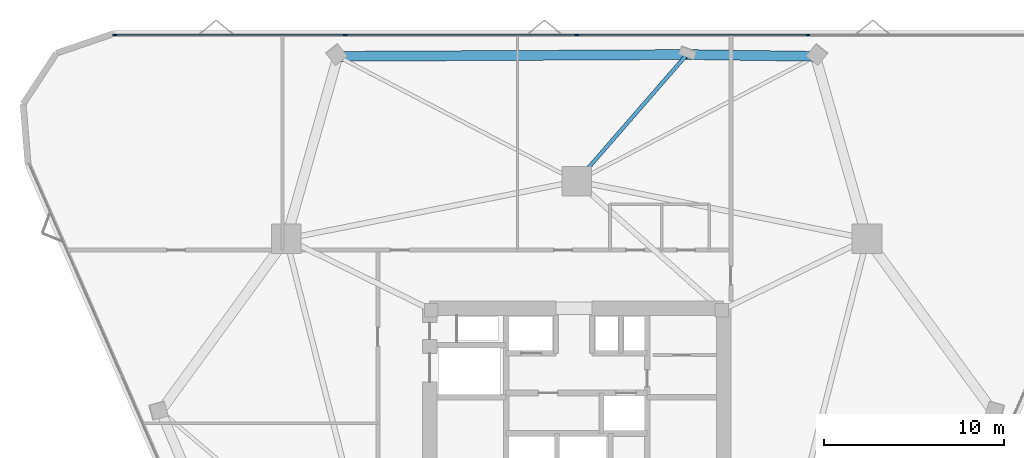
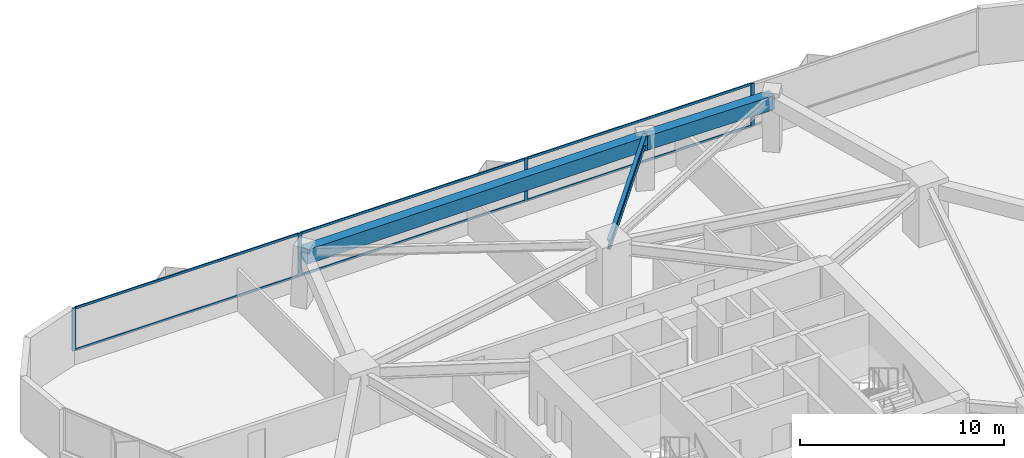
# One storey, part 7 of 13: 10 members, 3 beams, 1 element without a shape of its own.
"""IFC4 building model written with IfcOpenShell, lengths in metres."""

from ifc_helpers import new_model, si_unit, direction, frame, origin, origin_2d, place, context, subcontext, project, spatial, rectangle, i_section, extrude, material, layer, layer_set, material_profile, profile_set, type_object, element, aggregate, save


model = new_model("IFC4")

# Units and contexts
model_context = context("Model", 3, precision=1e-05, world=origin(), true_north=direction((0.0, 1.0)))
body_context = subcontext(model_context, "Body", "Model", "MODEL_VIEW")
ifc_project = project(units=[si_unit("LENGTHUNIT", "METRE"), si_unit("AREAUNIT", "SQUARE_METRE"), si_unit("VOLUMEUNIT", "CUBIC_METRE"), si_unit("PLANEANGLEUNIT", "RADIAN"), si_unit("MASSUNIT", "GRAM", prefix="KILO")], contexts=[model_context])

# Site, building, storey
site_placement = place(None, origin())
site = spatial("IfcSite", under=ifc_project, at=site_placement, CompositionType="ELEMENT")
building_placement = place(site_placement, origin())
building = spatial("IfcBuilding", under=site, at=building_placement, Name="Talyreon Biosciences Tower", CompositionType="ELEMENT")
storey_placement = place(building_placement, frame((0.0, 0.0, 104.199951171875)))
storey = spatial("IfcBuildingStorey", under=building, at=storey_placement, Name="L27", CompositionType="ELEMENT", Elevation=104.199951171875)

# Curtain wall, members
ifc_material_1 = material(Name="Thermally broken aluminium and low-E glazing", Category="aluminium")
ifc_layer = layer(ifc_material_1, 0.205078125)
ifc_layer_set = layer_set([ifc_layer], Name="Thermally broken aluminium and low-E glazing")
curtain_wall_type = type_object("IfcCurtainWallType", Name="CurtainWall_SkyGardenLoggia", PredefinedType="NOTDEFINED", material=ifc_layer_set)
curtain_wall_placement = place(storey_placement, origin())
curtain_wall = element("IfcCurtainWall", 1, at=curtain_wall_placement, inside=storey, type_object=curtain_wall_type, Name="L27 Unitised Curtain Wall FCW-L27-03", PredefinedType="NOTDEFINED")
ifc_material_2 = material(Name="Anodised thermally broken aluminium", Category="aluminium")
ifc_material_profile_1 = material_profile(ifc_material_2, rectangle(XDim=0.074951171875, YDim=0.2099609375, at=origin_2d()), Name="ALUM MULLION 75x210")
ifc_profile_set_1 = profile_set([ifc_material_profile_1], Name="Anodised thermally broken aluminium")
member_type_1 = type_object("IfcMemberType", Name="CWMullion_75x210", PredefinedType="MULLION", material=ifc_profile_set_1)
member_1_placement = place(storey_placement, frame((40.383544921875, 89.906494140625, 0.81005859375), z_axis=(0.0, 0.0, 1.0), x_axis=(0.0, 1.0, 0.0)))
member_1 = element("IfcMember", 2, at=member_1_placement, type_object=member_type_1, Name="CW7 mullion 1", PredefinedType="MULLION", context=body_context, shape_type="SweptSolid", body=[
    extrude(rectangle(XDim=0.074951171875, YDim=0.2099609375, at=origin_2d()), origin(), (0.0, 0.0, 1.0), 2.56494140625),
])
member_2_placement = place(storey_placement, frame((53.173095703125, 89.906494140625, 0.81005859375), z_axis=(0.0, 0.0, 1.0), x_axis=(0.0, 1.0, 0.0)))
member_2 = element("IfcMember", 3, at=member_2_placement, type_object=member_type_1, Name="CW7 mullion 2", PredefinedType="MULLION", context=body_context, shape_type="SweptSolid", body=[
    extrude(rectangle(XDim=0.074951171875, YDim=0.2099609375, at=origin_2d()), origin(), (0.0, 0.0, 1.0), 2.56494140625),
])
member_3_placement = place(storey_placement, frame((66.0, 89.906494140625, 0.81005859375), z_axis=(0.0, 0.0, 1.0), x_axis=(0.0, 1.0, 0.0)))
member_3 = element("IfcMember", 4, at=member_3_placement, type_object=member_type_1, Name="CW7 mullion 3", PredefinedType="MULLION", context=body_context, shape_type="SweptSolid", body=[
    extrude(rectangle(XDim=0.074951171875, YDim=0.2099609375, at=origin_2d()), origin(), (0.0, 0.0, 1.0), 2.56494140625),
])
member_4_placement = place(storey_placement, frame((78.826904296875, 89.906494140625, 0.81005859375), z_axis=(0.0, 0.0, 1.0), x_axis=(0.0, 1.0, 0.0)))
member_4 = element("IfcMember", 5, at=member_4_placement, type_object=member_type_1, Name="CW7 mullion 4", PredefinedType="MULLION", context=body_context, shape_type="SweptSolid", body=[
    extrude(rectangle(XDim=0.074951171875, YDim=0.2099609375, at=origin_2d()), origin(), (0.0, 0.0, 1.0), 2.56494140625),
])
ifc_material_profile_2 = material_profile(ifc_material_2, rectangle(XDim=0.06494140625, YDim=0.139892578125, at=origin_2d()), Name="ALUM TRANSOM 65x140")
ifc_profile_set_2 = profile_set([ifc_material_profile_2], Name="Anodised thermally broken aluminium")
member_type_2 = type_object("IfcMemberType", Name="CWTransom_65x140", PredefinedType="USERDEFINED", material=ifc_profile_set_2)
member_5_placement = place(storey_placement, frame((40.421142578125, 89.906494140625, 0.842529296875), z_axis=(1.0, 0.0, 0.0), x_axis=(0.0, 1.0, 0.0)))
member_5 = element("IfcMember", 6, at=member_5_placement, type_object=member_type_2, Name="CW7 transom 1.1", ObjectType="TRANSOM", PredefinedType="USERDEFINED", context=body_context, shape_type="SweptSolid", body=[
    extrude(rectangle(XDim=0.06494140625, YDim=0.139892578125, at=origin_2d()), origin(), (0.0, 0.0, 1.0), 12.71435546875),
])
member_6_placement = place(storey_placement, frame((40.421142578125, 89.906494140625, 3.342529296875), z_axis=(1.0, 0.0, 0.0), x_axis=(0.0, 1.0, 0.0)))
member_6 = element("IfcMember", 7, at=member_6_placement, type_object=member_type_2, Name="CW7 transom 1.2", ObjectType="TRANSOM", PredefinedType="USERDEFINED", context=body_context, shape_type="SweptSolid", body=[
    extrude(rectangle(XDim=0.06494140625, YDim=0.139892578125, at=origin_2d()), origin(), (0.0, 0.0, 1.0), 12.71435546875),
])
member_7_placement = place(storey_placement, frame((53.21044921875, 89.906494140625, 0.842529296875), z_axis=(1.0, 0.0, 0.0), x_axis=(0.0, 1.0, 0.0)))
member_7 = element("IfcMember", 8, at=member_7_placement, type_object=member_type_2, Name="CW7 transom 2.1", ObjectType="TRANSOM", PredefinedType="USERDEFINED", context=body_context, shape_type="SweptSolid", body=[
    extrude(rectangle(XDim=0.06494140625, YDim=0.139892578125, at=origin_2d()), origin(), (0.0, 0.0, 1.0), 12.751953125),
])
member_8_placement = place(storey_placement, frame((53.21044921875, 89.906494140625, 3.342529296875), z_axis=(1.0, 0.0, 0.0), x_axis=(0.0, 1.0, 0.0)))
member_8 = element("IfcMember", 9, at=member_8_placement, type_object=member_type_2, Name="CW7 transom 2.2", ObjectType="TRANSOM", PredefinedType="USERDEFINED", context=body_context, shape_type="SweptSolid", body=[
    extrude(rectangle(XDim=0.06494140625, YDim=0.139892578125, at=origin_2d()), origin(), (0.0, 0.0, 1.0), 12.751953125),
])
member_9_placement = place(storey_placement, frame((66.03759765625, 89.906494140625, 0.842529296875), z_axis=(1.0, 0.0, 0.0), x_axis=(0.0, 1.0, 0.0)))
member_9 = element("IfcMember", 10, at=member_9_placement, type_object=member_type_2, Name="CW7 transom 3.1", ObjectType="TRANSOM", PredefinedType="USERDEFINED", context=body_context, shape_type="SweptSolid", body=[
    extrude(rectangle(XDim=0.06494140625, YDim=0.139892578125, at=origin_2d()), origin(), (0.0, 0.0, 1.0), 12.751953125),
])
member_10_placement = place(storey_placement, frame((66.03759765625, 89.906494140625, 3.342529296875), z_axis=(1.0, 0.0, 0.0), x_axis=(0.0, 1.0, 0.0)))
member_10 = element("IfcMember", 11, at=member_10_placement, type_object=member_type_2, Name="CW7 transom 3.2", ObjectType="TRANSOM", PredefinedType="USERDEFINED", context=body_context, shape_type="SweptSolid", body=[
    extrude(rectangle(XDim=0.06494140625, YDim=0.139892578125, at=origin_2d()), origin(), (0.0, 0.0, 1.0), 12.751953125),
])
aggregate(curtain_wall, [member_1, member_2, member_3, member_4, member_5, member_6, member_7, member_8, member_9, member_10])

# Beams
ifc_material_3 = material(Name="Precast concrete C45/55", Category="concrete")
ifc_material_profile_3 = material_profile(ifc_material_3, rectangle(XDim=0.550048828125, YDim=0.85009765625, at=origin_2d()), Name="RCB 550x850")
ifc_profile_set_3 = profile_set([ifc_material_profile_3], Name="Precast concrete C45/55")
beam_type_1 = type_object("IfcBeamType", Name="ExpressedSpandrel_550x850", PredefinedType="SPANDREL", material=ifc_profile_set_3)
beam_1_placement = place(storey_placement, frame((79.241943359375, 88.71435546875, 2.949951171875), z_axis=(-0.999901472127, 0.014037308802, 0.0), x_axis=(-0.014037308802, -0.999901472127, 0.0)))
element("IfcBeam", 12, at=beam_1_placement, inside=storey, type_object=beam_type_1, Name="L27 Expressed Horizontal Concrete Spandrel 06", PredefinedType="SPANDREL", context=body_context, shape_type="SweptSolid", body=[
    extrude(rectangle(XDim=0.550048828125, YDim=0.85009765625, at=origin_2d()), origin(), (0.0, 0.0, 1.0), 7.130859375),
])
beam_2_placement = place(storey_placement, frame((72.11181640625, 88.814453125, 2.949951171875), z_axis=(-0.999986625473, -0.005171931382, 0.0), x_axis=(0.005171931382, -0.999986625473, 0.0)))
element("IfcBeam", 13, at=beam_2_placement, inside=storey, type_object=beam_type_1, Name="L27 Expressed Horizontal Concrete Spandrel 07", PredefinedType="SPANDREL", context=body_context, shape_type="SweptSolid", body=[
    extrude(rectangle(XDim=0.550048828125, YDim=0.85009765625, at=origin_2d()), origin(), (0.0, 0.0, 1.0), 19.35400390625),
])
ifc_material_4 = material(Name="Steel SM355", Category="steel")
ifc_material_profile_4 = material_profile(ifc_material_4, i_section(OverallWidth=0.2099609375, OverallDepth=0.550048828125, WebThickness=0.010986328125, FlangeThickness=0.01708984375, FilletRadius=0.02392578125, at=origin_2d()), Name="IPE550")
ifc_profile_set_4 = profile_set([ifc_material_profile_4], Name="Steel SM355")
beam_type_2 = type_object("IfcBeamType", Name="SteelJoist_IPE550", PredefinedType="JOIST", material=ifc_profile_set_4)
beam_3_placement = place(storey_placement, frame((66.0, 81.788818359375, 3.10009765625), z_axis=(0.656335781587, 0.754468913746, 0.0), x_axis=(-0.754468913746, 0.656335781587, 0.0)))
element("IfcBeam", 14, at=beam_3_placement, inside=storey, type_object=beam_type_2, Name="L27 Radial Composite Floor Joist PL-N", PredefinedType="JOIST", context=body_context, shape_type="SweptSolid", body=[
    extrude(i_section(OverallWidth=0.2099609375, OverallDepth=0.550048828125, WebThickness=0.010986328125, FlangeThickness=0.01708984375, FilletRadius=0.02392578125, at=origin_2d()), origin(), (0.0, 0.0, 1.0), 9.31201171875),
])

save(model, "model.ifc")
